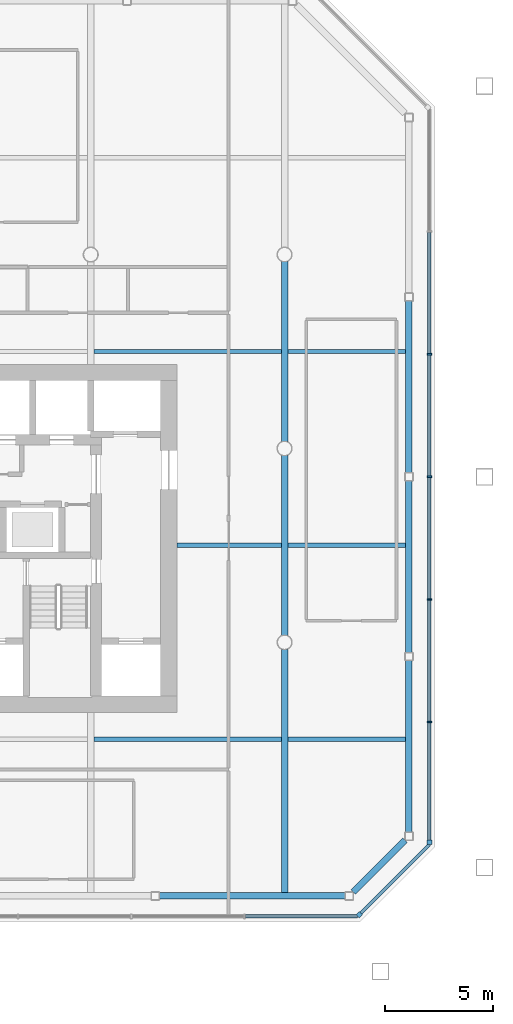
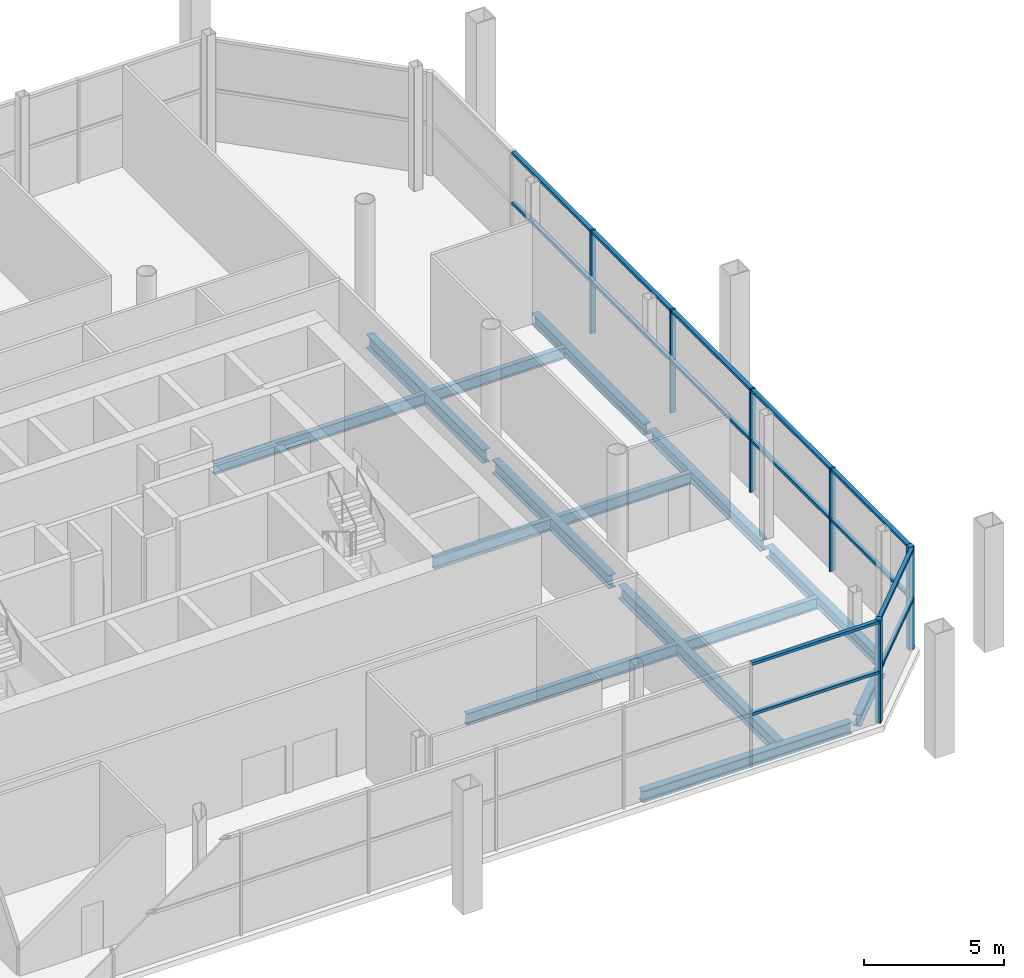
# One storey, part 4 of 12: 20 members, 14 beams, 3 elements without a shape of their own.
"""IFC4 building model written with IfcOpenShell, lengths in metres."""

from ifc_helpers import new_model, si_unit, direction, frame, origin, origin_2d, place, context, subcontext, project, spatial, rectangle, i_section, extrude, material, material_profile, profile_set, type_object, element, aggregate, save


model = new_model("IFC4")

# Units and contexts
model_context = context("Model", 3, precision=1e-05, world=origin(), true_north=direction((0.0, 1.0)))
body_context = subcontext(model_context, "Body", "Model", "MODEL_VIEW")
ifc_project = project(units=[si_unit("LENGTHUNIT", "METRE"), si_unit("AREAUNIT", "SQUARE_METRE"), si_unit("VOLUMEUNIT", "CUBIC_METRE"), si_unit("PLANEANGLEUNIT", "RADIAN"), si_unit("MASSUNIT", "GRAM", prefix="KILO")], contexts=[model_context])

# Site, building, storey
site_placement = place(None, origin())
site = spatial("IfcSite", under=ifc_project, at=site_placement, CompositionType="ELEMENT")
building_placement = place(site_placement, origin())
building = spatial("IfcBuilding", under=site, at=building_placement, Name="Tskaro Facet Tower", CompositionType="ELEMENT")
storey_placement = place(building_placement, frame((0.0, 0.0, 162.300048828125)))
storey = spatial("IfcBuildingStorey", under=building, at=storey_placement, Name="L40", CompositionType="ELEMENT", Elevation=162.300048828125)

# Curtain wall, member
ifc_material_1 = material(Name="Bronze anodised aluminium 6063-T6", Category="aluminium")
curtain_wall_type = type_object("IfcCurtainWallType", Name="Bronze sky lobby curtain wall (FW4)", PredefinedType="NOTDEFINED", material=ifc_material_1)
curtain_wall_1_placement = place(storey_placement, origin())
curtain_wall_1 = element("IfcCurtainWall", 1, at=curtain_wall_1_placement, inside=storey, type_object=curtain_wall_type, Name="FW4 south-east facet L40", PredefinedType="NOTDEFINED")
ifc_material_profile_1 = material_profile(ifc_material_1, rectangle(XDim=0.219970703125, YDim=0.219970703125, at=origin_2d()), Name="Corner post 220x220")
ifc_profile_set_1 = profile_set([ifc_material_profile_1], Name="Bronze anodised aluminium 6063-T6")
member_type_1 = type_object("IfcMemberType", Name="FW4 bronze corner post 220x220", PredefinedType="MULLION", material=ifc_profile_set_1)
member_1_placement = place(storey_placement, frame((21.4697265625, -21.646240234375, 0.0), z_axis=(0.0, 0.0, 1.0), x_axis=(0.707106781187, 0.707106781187, 0.0)))
member_1 = element("IfcMember", 2, at=member_1_placement, type_object=member_type_1, Name="FW4 south-east corner post", PredefinedType="MULLION", context=body_context, shape_type="SweptSolid", body=[
    extrude(rectangle(XDim=0.219970703125, YDim=0.219970703125, at=origin_2d()), origin(), (0.0, 0.0, 1.0), 4.489990234375),
])

# Curtain wall, members
curtain_wall_2_placement = place(storey_placement, origin())
curtain_wall_2 = element("IfcCurtainWall", 3, at=curtain_wall_2_placement, inside=storey, type_object=curtain_wall_type, Name="FW4 east facet L40", PredefinedType="NOTDEFINED")
member_2_placement = place(storey_placement, frame((24.72412109375, -18.281982421875, 0.0), z_axis=(0.0, 0.0, 1.0), x_axis=(0.0, 1.0, 0.0)))
member_2 = element("IfcMember", 4, at=member_2_placement, type_object=member_type_1, Name="FW4 east corner post", PredefinedType="MULLION", context=body_context, shape_type="SweptSolid", body=[
    extrude(rectangle(XDim=0.219970703125, YDim=0.219970703125, at=origin_2d()), origin(), (0.0, 0.0, 1.0), 4.489990234375),
])
ifc_material_profile_2 = material_profile(ifc_material_1, rectangle(XDim=0.080078125, YDim=0.219970703125, at=origin_2d()), Name="Mullion 80x220")
ifc_profile_set_2 = profile_set([ifc_material_profile_2], Name="Bronze anodised aluminium 6063-T6")
member_type_2 = type_object("IfcMemberType", Name="FW4 bronze mullion 80x220", PredefinedType="MULLION", material=ifc_profile_set_2)
member_3_placement = place(storey_placement, frame((24.72412109375, -12.699951171875, 0.0), z_axis=(0.0, 0.0, 1.0), x_axis=(0.0, 1.0, 0.0)))
member_3 = element("IfcMember", 5, at=member_3_placement, type_object=member_type_2, Name="FW4 east mullion 1", PredefinedType="MULLION", context=body_context, shape_type="SweptSolid", body=[
    extrude(rectangle(XDim=0.080078125, YDim=0.219970703125, at=origin_2d()), origin(), (0.0, 0.0, 1.0), 4.489990234375),
])
member_4_placement = place(storey_placement, frame((24.72412109375, -7.007568359375, 0.0), z_axis=(0.0, 0.0, 1.0), x_axis=(0.0, 1.0, 0.0)))
member_4 = element("IfcMember", 6, at=member_4_placement, type_object=member_type_2, Name="FW4 east mullion 2", PredefinedType="MULLION", context=body_context, shape_type="SweptSolid", body=[
    extrude(rectangle(XDim=0.080078125, YDim=0.219970703125, at=origin_2d()), origin(), (0.0, 0.0, 1.0), 4.489990234375),
])
member_5_placement = place(storey_placement, frame((24.72412109375, -1.3154296875, 0.0), z_axis=(0.0, 0.0, 1.0), x_axis=(0.0, 1.0, 0.0)))
member_5 = element("IfcMember", 7, at=member_5_placement, type_object=member_type_2, Name="FW4 east mullion 3", PredefinedType="MULLION", context=body_context, shape_type="SweptSolid", body=[
    extrude(rectangle(XDim=0.080078125, YDim=0.219970703125, at=origin_2d()), origin(), (0.0, 0.0, 1.0), 4.489990234375),
])
member_6_placement = place(storey_placement, frame((24.72412109375, 4.376708984375, 0.0), z_axis=(0.0, 0.0, 1.0), x_axis=(0.0, 1.0, 0.0)))
member_6 = element("IfcMember", 8, at=member_6_placement, type_object=member_type_2, Name="FW4 east mullion 4", PredefinedType="MULLION", context=body_context, shape_type="SweptSolid", body=[
    extrude(rectangle(XDim=0.080078125, YDim=0.219970703125, at=origin_2d()), origin(), (0.0, 0.0, 1.0), 4.489990234375),
])

curtain_wall_3_placement = place(storey_placement, origin())
curtain_wall_3 = element("IfcCurtainWall", 9, at=curtain_wall_3_placement, inside=storey, type_object=curtain_wall_type, Name="FW4 south facet L40", PredefinedType="NOTDEFINED")
ifc_material_profile_3 = material_profile(ifc_material_1, rectangle(XDim=0.159912109375, YDim=0.1201171875, at=origin_2d()), Name="Transom 160x120")
ifc_profile_set_3 = profile_set([ifc_material_profile_3], Name="Bronze anodised aluminium 6063-T6")
member_type_3 = type_object("IfcMemberType", Name="FW4 bronze transom 160x120", PredefinedType="USERDEFINED", material=ifc_profile_set_3)
member_7_placement = place(storey_placement, frame((16.17724609375, -21.72412109375, 2.244873046875), z_axis=(1.0, 0.0, 0.0), x_axis=(0.0, 1.0, 0.0)))
member_7 = element("IfcMember", 10, at=member_7_placement, type_object=member_type_3, Name="FW4 south transom 7.1", ObjectType="TRANSOM", PredefinedType="USERDEFINED", context=body_context, shape_type="SweptSolid", body=[
    extrude(rectangle(XDim=0.159912109375, YDim=0.1201171875, at=origin_2d()), origin(), (0.0, 0.0, 1.0), 5.21484375),
])
member_8_placement = place(storey_placement, frame((16.17724609375, -21.72412109375, 4.429931640625), z_axis=(1.0, 0.0, 0.0), x_axis=(0.0, 1.0, 0.0)))
member_8 = element("IfcMember", 11, at=member_8_placement, type_object=member_type_3, Name="FW4 south transom 7.2", ObjectType="TRANSOM", PredefinedType="USERDEFINED", context=body_context, shape_type="SweptSolid", body=[
    extrude(rectangle(XDim=0.159912109375, YDim=0.1201171875, at=origin_2d()), origin(), (0.0, 0.0, 1.0), 5.21484375),
])
aggregate(curtain_wall_3, [member_7, member_8])

# Member
member_9_placement = place(storey_placement, frame((21.547607421875, -21.568359375, 2.244873046875), z_axis=(0.70713395513, 0.707079606198, 0.0), x_axis=(-0.707079606198, 0.70713395513, 0.0)))
member_9 = element("IfcMember", 12, at=member_9_placement, type_object=member_type_3, Name="FW4 south-east transom 1.1", ObjectType="TRANSOM", PredefinedType="USERDEFINED", context=body_context, shape_type="SweptSolid", body=[
    extrude(rectangle(XDim=0.159912109375, YDim=0.1201171875, at=origin_2d()), origin(), (0.0, 0.0, 1.0), 4.4921875),
])

member_10_placement = place(storey_placement, frame((21.547607421875, -21.568359375, 4.429931640625), z_axis=(0.70713395513, 0.707079606198, 0.0), x_axis=(-0.707079606198, 0.70713395513, 0.0)))
member_10 = element("IfcMember", 13, at=member_10_placement, type_object=member_type_3, Name="FW4 south-east transom 1.2", ObjectType="TRANSOM", PredefinedType="USERDEFINED", context=body_context, shape_type="SweptSolid", body=[
    extrude(rectangle(XDim=0.159912109375, YDim=0.1201171875, at=origin_2d()), origin(), (0.0, 0.0, 1.0), 4.4921875),
])

aggregate(curtain_wall_1, [member_1, member_9, member_10])

member_11_placement = place(storey_placement, frame((24.72412109375, -18.172119140625, 2.244873046875), z_axis=(0.0, 1.0, 0.0), x_axis=(-1.0, 0.0, 0.0)))
member_11 = element("IfcMember", 14, at=member_11_placement, type_object=member_type_3, Name="FW4 east transom 1.1", ObjectType="TRANSOM", PredefinedType="USERDEFINED", context=body_context, shape_type="SweptSolid", body=[
    extrude(rectangle(XDim=0.159912109375, YDim=0.1201171875, at=origin_2d()), origin(), (0.0, 0.0, 1.0), 5.432373046875),
])

member_12_placement = place(storey_placement, frame((24.72412109375, -18.172119140625, 4.429931640625), z_axis=(0.0, 1.0, 0.0), x_axis=(-1.0, 0.0, 0.0)))
member_12 = element("IfcMember", 15, at=member_12_placement, type_object=member_type_3, Name="FW4 east transom 1.2", ObjectType="TRANSOM", PredefinedType="USERDEFINED", context=body_context, shape_type="SweptSolid", body=[
    extrude(rectangle(XDim=0.159912109375, YDim=0.1201171875, at=origin_2d()), origin(), (0.0, 0.0, 1.0), 5.432373046875),
])

member_13_placement = place(storey_placement, frame((24.72412109375, -12.659912109375, 2.244873046875), z_axis=(0.0, 1.0, 0.0), x_axis=(-1.0, 0.0, 0.0)))
member_13 = element("IfcMember", 16, at=member_13_placement, type_object=member_type_3, Name="FW4 east transom 2.1", ObjectType="TRANSOM", PredefinedType="USERDEFINED", context=body_context, shape_type="SweptSolid", body=[
    extrude(rectangle(XDim=0.159912109375, YDim=0.1201171875, at=origin_2d()), origin(), (0.0, 0.0, 1.0), 5.6123046875),
])

member_14_placement = place(storey_placement, frame((24.72412109375, -12.659912109375, 4.429931640625), z_axis=(0.0, 1.0, 0.0), x_axis=(-1.0, 0.0, 0.0)))
member_14 = element("IfcMember", 17, at=member_14_placement, type_object=member_type_3, Name="FW4 east transom 2.2", ObjectType="TRANSOM", PredefinedType="USERDEFINED", context=body_context, shape_type="SweptSolid", body=[
    extrude(rectangle(XDim=0.159912109375, YDim=0.1201171875, at=origin_2d()), origin(), (0.0, 0.0, 1.0), 5.6123046875),
])

member_15_placement = place(storey_placement, frame((24.72412109375, -6.9677734375, 2.244873046875), z_axis=(0.0, 1.0, 0.0), x_axis=(-1.0, 0.0, 0.0)))
member_15 = element("IfcMember", 18, at=member_15_placement, type_object=member_type_3, Name="FW4 east transom 3.1", ObjectType="TRANSOM", PredefinedType="USERDEFINED", context=body_context, shape_type="SweptSolid", body=[
    extrude(rectangle(XDim=0.159912109375, YDim=0.1201171875, at=origin_2d()), origin(), (0.0, 0.0, 1.0), 5.6123046875),
])

member_16_placement = place(storey_placement, frame((24.72412109375, -6.9677734375, 4.429931640625), z_axis=(0.0, 1.0, 0.0), x_axis=(-1.0, 0.0, 0.0)))
member_16 = element("IfcMember", 19, at=member_16_placement, type_object=member_type_3, Name="FW4 east transom 3.2", ObjectType="TRANSOM", PredefinedType="USERDEFINED", context=body_context, shape_type="SweptSolid", body=[
    extrude(rectangle(XDim=0.159912109375, YDim=0.1201171875, at=origin_2d()), origin(), (0.0, 0.0, 1.0), 5.6123046875),
])

member_17_placement = place(storey_placement, frame((24.72412109375, -1.275390625, 2.244873046875), z_axis=(0.0, 1.0, 0.0), x_axis=(-1.0, 0.0, 0.0)))
member_17 = element("IfcMember", 20, at=member_17_placement, type_object=member_type_3, Name="FW4 east transom 4.1", ObjectType="TRANSOM", PredefinedType="USERDEFINED", context=body_context, shape_type="SweptSolid", body=[
    extrude(rectangle(XDim=0.159912109375, YDim=0.1201171875, at=origin_2d()), origin(), (0.0, 0.0, 1.0), 5.612060546875),
])

member_18_placement = place(storey_placement, frame((24.72412109375, -1.275390625, 4.429931640625), z_axis=(0.0, 1.0, 0.0), x_axis=(-1.0, 0.0, 0.0)))
member_18 = element("IfcMember", 21, at=member_18_placement, type_object=member_type_3, Name="FW4 east transom 4.2", ObjectType="TRANSOM", PredefinedType="USERDEFINED", context=body_context, shape_type="SweptSolid", body=[
    extrude(rectangle(XDim=0.159912109375, YDim=0.1201171875, at=origin_2d()), origin(), (0.0, 0.0, 1.0), 5.612060546875),
])

member_19_placement = place(storey_placement, frame((24.72412109375, 4.416748046875, 2.244873046875), z_axis=(0.0, 1.0, 0.0), x_axis=(-1.0, 0.0, 0.0)))
member_19 = element("IfcMember", 22, at=member_19_placement, type_object=member_type_3, Name="FW4 east transom 5.1", ObjectType="TRANSOM", PredefinedType="USERDEFINED", context=body_context, shape_type="SweptSolid", body=[
    extrude(rectangle(XDim=0.159912109375, YDim=0.1201171875, at=origin_2d()), origin(), (0.0, 0.0, 1.0), 5.612060546875),
])

member_20_placement = place(storey_placement, frame((24.72412109375, 4.416748046875, 4.429931640625), z_axis=(0.0, 1.0, 0.0), x_axis=(-1.0, 0.0, 0.0)))
member_20 = element("IfcMember", 23, at=member_20_placement, type_object=member_type_3, Name="FW4 east transom 5.2", ObjectType="TRANSOM", PredefinedType="USERDEFINED", context=body_context, shape_type="SweptSolid", body=[
    extrude(rectangle(XDim=0.159912109375, YDim=0.1201171875, at=origin_2d()), origin(), (0.0, 0.0, 1.0), 5.612060546875),
])

aggregate(curtain_wall_2, [member_2, member_3, member_4, member_5, member_6, member_11, member_12, member_13, member_14, member_15, member_16, member_17, member_18, member_19, member_20])

# Beams
ifc_material_2 = material(Name="Steel S355J2", Category="steel")
ifc_material_profile_4 = material_profile(ifc_material_2, i_section(OverallWidth=0.300048828125, OverallDepth=0.5, WebThickness=0.014404296875, FlangeThickness=0.028076171875, FilletRadius=0.027099609375, at=origin_2d()), Name="HE 500 B")
ifc_profile_set_4 = profile_set([ifc_material_profile_4], Name="Steel S355J2")
beam_type_1 = type_object("IfcBeamType", Name="HE 500 B ring beam", PredefinedType="BEAM", material=ifc_profile_set_4)
beam_1_placement = place(storey_placement, frame((12.179931640625, -20.77392578125, -0.5), z_axis=(1.0, 0.0, 0.0), x_axis=(0.0, 1.0, 0.0)))
element("IfcBeam", 24, at=beam_1_placement, inside=storey, type_object=beam_type_1, Name="HE 500 B EB4-3", PredefinedType="BEAM", context=body_context, shape_type="SweptSolid", body=[
    extrude(i_section(OverallWidth=0.300048828125, OverallDepth=0.5, WebThickness=0.014404296875, FlangeThickness=0.028076171875, FilletRadius=0.027099609375, at=origin_2d()), origin(), (0.0, 0.0, 1.0), 8.63916015625),
])
beam_2_placement = place(storey_placement, frame((21.184814453125, -20.588134765625, -0.5), z_axis=(0.707106781187, 0.707106781187, 0.0), x_axis=(-0.707106781187, 0.707106781187, 0.0)))
element("IfcBeam", 25, at=beam_2_placement, inside=storey, type_object=beam_type_1, Name="HE 500 B EB5-3", PredefinedType="BEAM", context=body_context, shape_type="SweptSolid", body=[
    extrude(i_section(OverallWidth=0.300048828125, OverallDepth=0.5, WebThickness=0.014404296875, FlangeThickness=0.028076171875, FilletRadius=0.027099609375, at=origin_2d()), origin(), (0.0, 0.0, 1.0), 3.39892578125),
])
beam_3_placement = place(storey_placement, frame((23.77392578125, -17.819091796875, -0.5), z_axis=(0.0, 1.0, 0.0), x_axis=(-1.0, 0.0, 0.0)))
element("IfcBeam", 26, at=beam_3_placement, inside=storey, type_object=beam_type_1, Name="HE 500 B EB6-3", PredefinedType="BEAM", context=body_context, shape_type="SweptSolid", body=[
    extrude(i_section(OverallWidth=0.300048828125, OverallDepth=0.5, WebThickness=0.014404296875, FlangeThickness=0.028076171875, FilletRadius=0.027099609375, at=origin_2d()), origin(), (0.0, 0.0, 1.0), 7.982177734375),
])
beam_4_placement = place(storey_placement, frame((23.77392578125, -9.47705078125, -0.5), z_axis=(0.0, 1.0, 0.0), x_axis=(-1.0, 0.0, 0.0)))
element("IfcBeam", 27, at=beam_4_placement, inside=storey, type_object=beam_type_1, Name="HE 500 B EB7-3", PredefinedType="BEAM", context=body_context, shape_type="SweptSolid", body=[
    extrude(i_section(OverallWidth=0.300048828125, OverallDepth=0.5, WebThickness=0.014404296875, FlangeThickness=0.028076171875, FilletRadius=0.027099609375, at=origin_2d()), origin(), (0.0, 0.0, 1.0), 7.98095703125),
])
beam_5_placement = place(storey_placement, frame((23.77392578125, -1.135986328125, -0.5), z_axis=(0.0, 1.0, 0.0), x_axis=(-1.0, 0.0, 0.0)))
element("IfcBeam", 28, at=beam_5_placement, inside=storey, type_object=beam_type_1, Name="HE 500 B EB8-3", PredefinedType="BEAM", context=body_context, shape_type="SweptSolid", body=[
    extrude(i_section(OverallWidth=0.300048828125, OverallDepth=0.5, WebThickness=0.014404296875, FlangeThickness=0.028076171875, FilletRadius=0.027099609375, at=origin_2d()), origin(), (0.0, 0.0, 1.0), 7.98193359375),
])
ifc_material_profile_5 = material_profile(ifc_material_2, i_section(OverallWidth=0.300048828125, OverallDepth=0.590087890625, WebThickness=0.012939453125, FlangeThickness=0.02490234375, FilletRadius=0.027099609375, at=origin_2d()), Name="HE 600 A")
ifc_profile_set_5 = profile_set([ifc_material_profile_5], Name="Steel S355J2")
beam_type_2 = type_object("IfcBeamType", Name="HE 600 A girder", PredefinedType="BEAM", material=ifc_profile_set_5)
beam_6_placement = place(storey_placement, frame((18.0, -20.6240234375, -0.545166015625), z_axis=(0.0, 1.0, 0.0), x_axis=(-1.0, 0.0, 0.0)))
element("IfcBeam", 29, at=beam_6_placement, inside=storey, type_object=beam_type_2, Name="HE 600 A GB6-1-3", PredefinedType="BEAM", context=body_context, shape_type="SweptSolid", body=[
    extrude(i_section(OverallWidth=0.300048828125, OverallDepth=0.590087890625, WebThickness=0.012939453125, FlangeThickness=0.02490234375, FilletRadius=0.027099609375, at=origin_2d()), origin(), (0.0, 0.0, 1.0), 11.298583984375),
])
for number, where, z_axis, x_axis, name in (
    (30, (18.0, -8.674560546875, -0.545166015625), (0.0, 1.0, 0.0), (-1.0, 0.0, 0.0), "HE 600 A GB6-2-3"),
    (31, (18.0, 0.325439453125, -0.545166015625), (0.0, 1.0, 0.0), (-1.0, 0.0, 0.0), "HE 600 A GB6-3-3"),
):
    element("IfcBeam", number, at=place(storey_placement, frame(where, z_axis=z_axis, x_axis=x_axis)), inside=storey, type_object=beam_type_2, Name=name, PredefinedType="BEAM", context=body_context, shape_type="SweptSolid", body=[
        extrude(i_section(OverallWidth=0.300048828125, OverallDepth=0.590087890625, WebThickness=0.012939453125, FlangeThickness=0.02490234375, FilletRadius=0.027099609375, at=origin_2d()), origin(), (0.0, 0.0, 1.0), 8.34912109375),
    ])
ifc_material_profile_6 = material_profile(ifc_material_2, i_section(OverallWidth=0.199951171875, OverallDepth=0.5, WebThickness=0.01025390625, FlangeThickness=0.01611328125, FilletRadius=0.02099609375, at=origin_2d()), Name="IPE 500")
ifc_profile_set_6 = profile_set([ifc_material_profile_6], Name="Steel S355J2")
beam_type_3 = type_object("IfcBeamType", Name="IPE 500 secondary beam", PredefinedType="BEAM", material=ifc_profile_set_6)
beam_7_placement = place(storey_placement, frame((9.14990234375, -13.5, -0.5), z_axis=(1.0, 0.0, 0.0), x_axis=(0.0, 1.0, 0.0)))
element("IfcBeam", 32, at=beam_7_placement, inside=storey, type_object=beam_type_3, Name="IPE 500 SB2a-4-3", PredefinedType="BEAM", context=body_context, shape_type="SweptSolid", body=[
    extrude(i_section(OverallWidth=0.199951171875, OverallDepth=0.5, WebThickness=0.01025390625, FlangeThickness=0.01611328125, FilletRadius=0.02099609375, at=origin_2d()), origin(), (0.0, 0.0, 1.0), 8.7001953125),
])
beam_8_placement = place(storey_placement, frame((18.14990234375, -13.5, -0.5), z_axis=(1.0, 0.0, 0.0), x_axis=(0.0, 1.0, 0.0)))
element("IfcBeam", 33, at=beam_8_placement, inside=storey, type_object=beam_type_3, Name="IPE 500 SB2a-5-3", PredefinedType="BEAM", context=body_context, shape_type="SweptSolid", body=[
    extrude(i_section(OverallWidth=0.199951171875, OverallDepth=0.5, WebThickness=0.01025390625, FlangeThickness=0.01611328125, FilletRadius=0.02099609375, at=origin_2d()), origin(), (0.0, 0.0, 1.0), 5.47412109375),
])
beam_9_placement = place(storey_placement, frame((13.0, -4.5, -0.5), z_axis=(1.0, 0.0, 0.0), x_axis=(0.0, 1.0, 0.0)))
element("IfcBeam", 34, at=beam_9_placement, inside=storey, type_object=beam_type_3, Name="IPE 500 SB3a-2-3", PredefinedType="BEAM", context=body_context, shape_type="SweptSolid", body=[
    extrude(i_section(OverallWidth=0.199951171875, OverallDepth=0.5, WebThickness=0.01025390625, FlangeThickness=0.01611328125, FilletRadius=0.02099609375, at=origin_2d()), origin(), (0.0, 0.0, 1.0), 4.85009765625),
])
beam_10_placement = place(storey_placement, frame((18.14990234375, -4.5, -0.5), z_axis=(1.0, 0.0, 0.0), x_axis=(0.0, 1.0, 0.0)))
element("IfcBeam", 35, at=beam_10_placement, inside=storey, type_object=beam_type_3, Name="IPE 500 SB3a-3-3", PredefinedType="BEAM", context=body_context, shape_type="SweptSolid", body=[
    extrude(i_section(OverallWidth=0.199951171875, OverallDepth=0.5, WebThickness=0.01025390625, FlangeThickness=0.01611328125, FilletRadius=0.02099609375, at=origin_2d()), origin(), (0.0, 0.0, 1.0), 5.47412109375),
])
beam_11_placement = place(storey_placement, frame((9.14990234375, 4.5, -0.5), z_axis=(1.0, 0.0, 0.0), x_axis=(0.0, 1.0, 0.0)))
element("IfcBeam", 36, at=beam_11_placement, inside=storey, type_object=beam_type_3, Name="IPE 500 SB4a-4-3", PredefinedType="BEAM", context=body_context, shape_type="SweptSolid", body=[
    extrude(i_section(OverallWidth=0.199951171875, OverallDepth=0.5, WebThickness=0.01025390625, FlangeThickness=0.01611328125, FilletRadius=0.02099609375, at=origin_2d()), origin(), (0.0, 0.0, 1.0), 8.7001953125),
])
beam_12_placement = place(storey_placement, frame((18.14990234375, 4.5, -0.5), z_axis=(1.0, 0.0, 0.0), x_axis=(0.0, 1.0, 0.0)))
element("IfcBeam", 37, at=beam_12_placement, inside=storey, type_object=beam_type_3, Name="IPE 500 SB4a-5-3", PredefinedType="BEAM", context=body_context, shape_type="SweptSolid", body=[
    extrude(i_section(OverallWidth=0.199951171875, OverallDepth=0.5, WebThickness=0.01025390625, FlangeThickness=0.01611328125, FilletRadius=0.02099609375, at=origin_2d()), origin(), (0.0, 0.0, 1.0), 5.47412109375),
])

save(model, "model.ifc")
